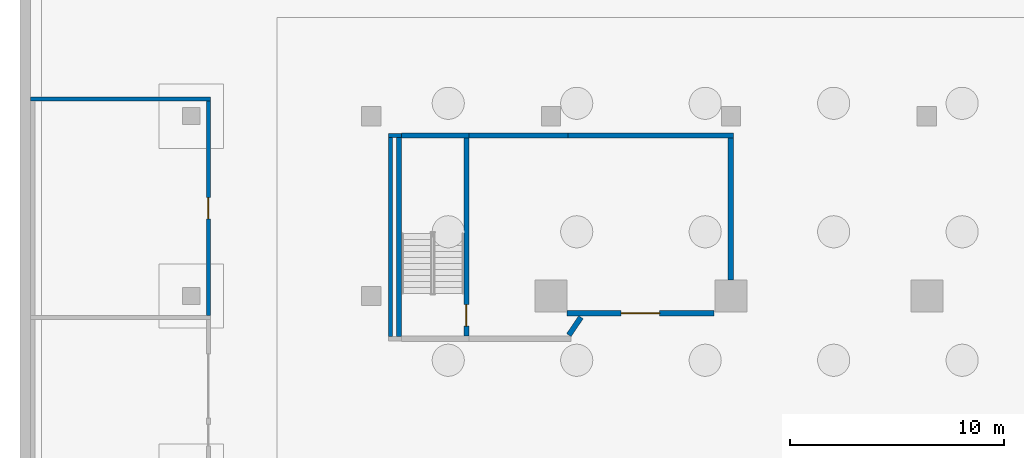
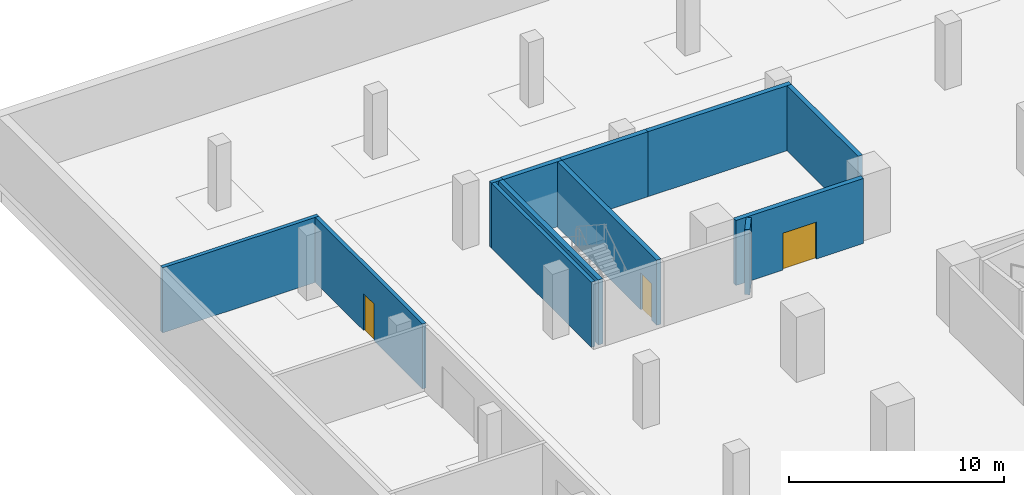
# One storey, part 10 of 20: 12 walls, 3 doors, 3 openings.
"""IFC4 building model written with IfcOpenShell, lengths in metres."""

from ifc_helpers import new_model, si_unit, direction, frame, frame_2d, origin, place, context, subcontext, project, spatial, rectangle, extrude, material, layer, layer_set, type_object, element, fill, save


model = new_model("IFC4")

# Units and contexts
model_context = context("Model", 3, precision=1e-05, world=origin(), true_north=direction((0.0, 1.0)))
body_context = subcontext(model_context, "Body", "Model", "MODEL_VIEW")
ifc_project = project(units=[si_unit("LENGTHUNIT", "METRE"), si_unit("AREAUNIT", "SQUARE_METRE"), si_unit("VOLUMEUNIT", "CUBIC_METRE"), si_unit("PLANEANGLEUNIT", "RADIAN"), si_unit("MASSUNIT", "GRAM", prefix="KILO")], contexts=[model_context])

# Site, building, storey
site_placement = place(None, origin())
site = spatial("IfcSite", under=ifc_project, at=site_placement, CompositionType="ELEMENT")
building_placement = place(site_placement, origin())
building = spatial("IfcBuilding", under=site, at=building_placement, Name="Cantera Rosa Tower", CompositionType="ELEMENT")
storey_placement = place(building_placement, frame((0.0, 0.0, -17.0)))
storey = spatial("IfcBuildingStorey", under=building, at=storey_placement, Name="B4", CompositionType="ELEMENT", Elevation=-17.0)

# Walls
ifc_material_1 = material(Name="Masonry blockwork", Category="masonry")
ifc_layer_1 = layer(ifc_material_1, 0.199951171875)
ifc_layer_set_1 = layer_set([ifc_layer_1], Name="Blockwork partition 200")
wall_type_1 = type_object("IfcWallType", Name="Blockwork partition 200", PredefinedType="PARTITIONING", material=ifc_layer_set_1)
wall_1_placement = place(storey_placement, frame((-32.800048828125, 28.5, 0.0), z_axis=(0.0, 0.0, 1.0), x_axis=(1.0, 0.0, 0.0)))
element("IfcWall", 1, at=wall_1_placement, inside=storey, type_object=wall_type_1, Name="Partition B4-18", PredefinedType="PARTITIONING", context=body_context, shape_type="SweptSolid", body=[
    extrude(rectangle(XDim=0.625, YDim=0.199951171875, at=frame_2d((0.3125, 0.0))), origin(), (0.0, 0.0, 1.0), 3.699951171875),
])
wall_2_placement = place(storey_placement, frame((-32.699951171875, 19.10009765625, 0.0), z_axis=(0.0, 0.0, 1.0), x_axis=(0.0, 1.0, 0.0)))
element("IfcWall", 2, at=wall_2_placement, inside=storey, type_object=wall_type_1, Name="Partition B4-45", PredefinedType="PARTITIONING", context=body_context, shape_type="SweptSolid", body=[
    extrude(rectangle(XDim=9.2998046875, YDim=0.199951171875, at=frame_2d((4.64990234375, 0.0))), origin(), (0.0, 0.0, 1.0), 3.699951171875),
])

# Wall, opening, door
wall_3_placement = place(storey_placement, frame((-41.199951171875, 20.10009765625, 0.0), z_axis=(0.0, 0.0, 1.0), x_axis=(0.0, 1.0, 0.0)))
wall_3 = element("IfcWall", 3, at=wall_3_placement, inside=storey, type_object=wall_type_1, Name="Partition B4-83", PredefinedType="PARTITIONING", context=body_context, shape_type="SweptSolid", body=[
    extrude(rectangle(XDim=10.0, YDim=0.199951171875, at=frame_2d((5.0, 0.0))), origin(), (0.0, 0.0, 1.0), 3.699951171875),
])
opening_1_placement = place(wall_3_placement, frame((4.5, 0.0, 0.0)))
opening_1 = element("IfcOpeningElement", 4, at=opening_1_placement, cuts=wall_3, Name="Opening B4-021", PredefinedType="OPENING", context=body_context, shape_type="SweptSolid", body=[
    extrude(rectangle(XDim=1.0, YDim=2.10009765625, at=frame_2d((0.5, 1.050048828125))), frame((0.0, 0.10986328125, 0.0), z_axis=(0.0, -1.0, 0.0), x_axis=(1.0, 0.0, 0.0)), (0.0, 0.0, 1.0), 0.219970703125),
])
ifc_material_2 = material(Name="Timber", Category="wood")
door_type_1 = type_object("IfcDoorType", Name="Door 1000x2100", OperationType="NOTDEFINED", PredefinedType="DOOR", material=ifc_material_2)
door_1_placement = place(opening_1_placement, origin())
door_1 = element("IfcDoor", 5, at=door_1_placement, inside=storey, type_object=door_type_1, Name="Door B4-021", OverallHeight=2.10009765625, OverallWidth=1.0, PredefinedType="DOOR", context=body_context, shape_type="SweptSolid", body=[
    extrude(rectangle(XDim=1.0, YDim=2.10009765625, at=frame_2d((0.5, 1.050048828125))), frame((0.0, 0.02490234375, 0.0), z_axis=(0.0, -1.0, 0.0), x_axis=(1.0, 0.0, 0.0)), (0.0, 0.0, 1.0), 0.050048828125),
])
fill(opening_1, door_1)

# Walls
wall_4_placement = place(storey_placement, frame((-49.5, 30.199951171875, 0.0), z_axis=(0.0, 0.0, 1.0), x_axis=(1.0, 0.0, 0.0)))
element("IfcWall", 6, at=wall_4_placement, inside=storey, type_object=wall_type_1, Name="Partition B4-90", PredefinedType="PARTITIONING", context=body_context, shape_type="SweptSolid", body=[
    extrude(rectangle(XDim=8.39990234375, YDim=0.199951171875, at=frame_2d((4.199951171875, 0.0))), origin(), (0.0, 0.0, 1.0), 3.699951171875),
])
ifc_material_3 = material(Name="Concrete C50/60", Category="concrete")
ifc_layer_2 = layer(ifc_material_3, 0.25)
ifc_layer_set_2 = layer_set([ifc_layer_2], Name="External stair wall 250")
wall_type_2 = type_object("IfcWallType", Name="External stair wall 250", PredefinedType="SOLIDWALL", material=ifc_layer_set_2)
wall_5_placement = place(storey_placement, frame((-32.175048828125, 28.5, 0.0), z_axis=(0.0, 0.0, 1.0), x_axis=(1.0, 0.0, 0.0)))
element("IfcWall", 7, at=wall_5_placement, inside=storey, type_object=wall_type_2, Name="Stair wall B4-19", PredefinedType="SOLIDWALL", context=body_context, shape_type="SweptSolid", body=[
    extrude(rectangle(XDim=3.150146484375, YDim=0.25, at=frame_2d((1.5751953125, 0.0))), origin(), (0.0, 0.0, 1.0), 3.699951171875),
])
ifc_material_4 = material(Name="Masonry blockwork", Category="masonry")
ifc_layer_3 = layer(ifc_material_4, 0.25)
ifc_layer_set_3 = layer_set([ifc_layer_3], Name="Fire-rated external wall 250")
wall_type_3 = type_object("IfcWallType", Name="Fire-rated external wall 250", PredefinedType="PARTITIONING", material=ifc_layer_set_3)
wall_6_placement = place(storey_placement, frame((-29.02490234375, 28.5, 0.0), z_axis=(0.0, 0.0, 1.0), x_axis=(1.0, 0.0, 0.0)))
element("IfcWall", 8, at=wall_6_placement, inside=storey, type_object=wall_type_3, Name="Fire wall B4-20", PredefinedType="PARTITIONING", context=body_context, shape_type="SweptSolid", body=[
    extrude(rectangle(XDim=4.625, YDim=0.25, at=frame_2d((2.3125, 0.0))), origin(), (0.0, 0.0, 1.0), 3.699951171875),
])
wall_7_placement = place(storey_placement, frame((-24.39990234375, 28.5, 0.0), z_axis=(0.0, 0.0, 1.0), x_axis=(1.0, 0.0, 0.0)))
element("IfcWall", 9, at=wall_7_placement, inside=storey, type_object=wall_type_3, Name="Fire wall B4-21", PredefinedType="PARTITIONING", context=body_context, shape_type="SweptSolid", body=[
    extrude(rectangle(XDim=7.724853515625, YDim=0.25, at=frame_2d((3.8623046875, 0.0))), origin(), (0.0, 0.0, 1.0), 3.699951171875),
])
wall_8_placement = place(storey_placement, frame((-16.800048828125, 21.75, 0.0), z_axis=(0.0, 0.0, 1.0), x_axis=(0.0, 1.0, 0.0)))
element("IfcWall", 10, at=wall_8_placement, inside=storey, type_object=wall_type_3, Name="Fire wall B4-47", PredefinedType="PARTITIONING", context=body_context, shape_type="SweptSolid", body=[
    extrude(rectangle(XDim=6.625, YDim=0.25, at=frame_2d((3.3125, 0.0))), origin(), (0.0, 0.0, 1.0), 3.699951171875),
])

# Wall, opening, door
ifc_material_5 = material(Name="Masonry blockwork", Category="masonry")
ifc_layer_4 = layer(ifc_material_5, 0.25)
ifc_layer_set_4 = layer_set([ifc_layer_4], Name="Fire-rated wall 250")
wall_type_4 = type_object("IfcWallType", Name="Fire-rated wall 250", PredefinedType="PARTITIONING", material=ifc_layer_set_4)
wall_9_placement = place(storey_placement, frame((-24.449951171875, 20.199951171875, 0.0), z_axis=(0.0, 0.0, 1.0), x_axis=(1.0, 0.0, 0.0)))
wall_9 = element("IfcWall", 11, at=wall_9_placement, inside=storey, type_object=wall_type_4, Name="Fire wall B4-38", PredefinedType="PARTITIONING", context=body_context, shape_type="SweptSolid", body=[
    extrude(rectangle(XDim=6.849853515625, YDim=0.25, at=frame_2d((3.4248046875, 0.0))), origin(), (0.0, 0.0, 1.0), 3.699951171875),
])
opening_2_placement = place(wall_9_placement, frame((2.52490234375, 0.0, 0.0)))
opening_2 = element("IfcOpeningElement", 12, at=opening_2_placement, cuts=wall_9, Name="Opening B4-003", PredefinedType="OPENING", context=body_context, shape_type="SweptSolid", body=[
    extrude(rectangle(XDim=1.800048828125, YDim=2.10009765625, at=frame_2d((0.89990234375, 1.050048828125))), frame((0.0, 0.135009765625, 0.0), z_axis=(0.0, -1.0, 0.0), x_axis=(1.0, 0.0, 0.0)), (0.0, 0.0, 1.0), 0.27001953125),
])
ifc_material_6 = material(Name="Steel S355J2 (EN 10025-2)", Category="steel")
door_type_2 = type_object("IfcDoorType", Name="Fire double door 1800x2100", OperationType="NOTDEFINED", PredefinedType="DOOR", material=ifc_material_6)
door_2_placement = place(opening_2_placement, origin())
door_2 = element("IfcDoor", 13, at=door_2_placement, inside=storey, type_object=door_type_2, Name="Door B4-003", OperationType="DOUBLE_DOOR_SINGLE_SWING", OverallHeight=2.10009765625, OverallWidth=1.800048828125, PredefinedType="DOOR", context=body_context, shape_type="SweptSolid", body=[
    extrude(rectangle(XDim=1.800048828125, YDim=2.10009765625, at=frame_2d((0.89990234375, 1.050048828125))), frame((0.0, 0.02490234375, 0.0), z_axis=(0.0, -1.0, 0.0), x_axis=(1.0, 0.0, 0.0)), (0.0, 0.0, 1.0), 0.050048828125),
])
fill(opening_2, door_2)

# Wall
wall_10_placement = place(storey_placement, frame((-24.366455078125, 19.1748046875, 0.0), z_axis=(0.0, 0.0, 1.0), x_axis=(0.559172704165, 0.829051196801, 0.0)))
element("IfcWall", 14, at=wall_10_placement, inside=storey, type_object=wall_type_4, Name="Fire wall B4-49", PredefinedType="PARTITIONING", context=body_context, shape_type="SweptSolid", body=[
    extrude(rectangle(XDim=1.005859375, YDim=0.25, at=frame_2d((0.5029296875, 0.0))), origin(), (0.0, 0.0, 1.0), 3.699951171875),
])

# Wall, opening, door
ifc_material_7 = material(Name="Concrete C50/60", Category="concrete")
ifc_layer_5 = layer(ifc_material_7, 0.25)
ifc_layer_set_5 = layer_set([ifc_layer_5], Name="RC stair wall 250 C50/60")
wall_type_5 = type_object("IfcWallType", Name="RC stair wall 250", PredefinedType="SOLIDWALL", material=ifc_layer_set_5)
wall_11_placement = place(storey_placement, frame((-29.14990234375, 19.125, 0.0), z_axis=(0.0, 0.0, 1.0), x_axis=(0.0, 1.0, 0.0)))
wall_11 = element("IfcWall", 15, at=wall_11_placement, inside=storey, type_object=wall_type_5, Name="Stair wall B4-41", PredefinedType="SOLIDWALL", context=body_context, shape_type="SweptSolid", body=[
    extrude(rectangle(XDim=9.25, YDim=0.25, at=frame_2d((4.625, 0.0))), origin(), (0.0, 0.0, 1.0), 3.699951171875),
])
opening_3_placement = place(wall_11_placement, frame((0.47509765625, 0.0, 0.0)))
opening_3 = element("IfcOpeningElement", 16, at=opening_3_placement, cuts=wall_11, Name="Opening B4-004", PredefinedType="OPENING", context=body_context, shape_type="SweptSolid", body=[
    extrude(rectangle(XDim=1.0, YDim=2.10009765625, at=frame_2d((0.5, 1.050048828125))), frame((0.0, 0.135009765625, 0.0), z_axis=(0.0, -1.0, 0.0), x_axis=(1.0, 0.0, 0.0)), (0.0, 0.0, 1.0), 0.27001953125),
])
ifc_material_8 = material(Name="Steel S355J2 (EN 10025-2)", Category="steel")
door_type_3 = type_object("IfcDoorType", Name="Fire door 1000x2100 EI 120", OperationType="NOTDEFINED", PredefinedType="DOOR", material=ifc_material_8)
door_3_placement = place(opening_3_placement, origin())
door_3 = element("IfcDoor", 17, at=door_3_placement, inside=storey, type_object=door_type_3, Name="Door B4-004", OverallHeight=2.10009765625, OverallWidth=1.0, PredefinedType="DOOR", context=body_context, shape_type="SweptSolid", body=[
    extrude(rectangle(XDim=1.0, YDim=2.10009765625, at=frame_2d((0.5, 1.050048828125))), frame((0.0, 0.02490234375, 0.0), z_axis=(0.0, -1.0, 0.0), x_axis=(1.0, 0.0, 0.0)), (0.0, 0.0, 1.0), 0.050048828125),
])
fill(opening_3, door_3)

# Wall
wall_12_placement = place(storey_placement, frame((-32.300048828125, 19.10009765625, 0.0), z_axis=(0.0, 0.0, 1.0), x_axis=(0.0, 1.0, 0.0)))
element("IfcWall", 18, at=wall_12_placement, inside=storey, type_object=wall_type_5, Name="Stair wall B4-43", PredefinedType="SOLIDWALL", context=body_context, shape_type="SweptSolid", body=[
    extrude(rectangle(XDim=9.2998046875, YDim=0.25, at=frame_2d((4.64990234375, 0.0))), origin(), (0.0, 0.0, 1.0), 3.699951171875),
])

save(model, "model.ifc")
